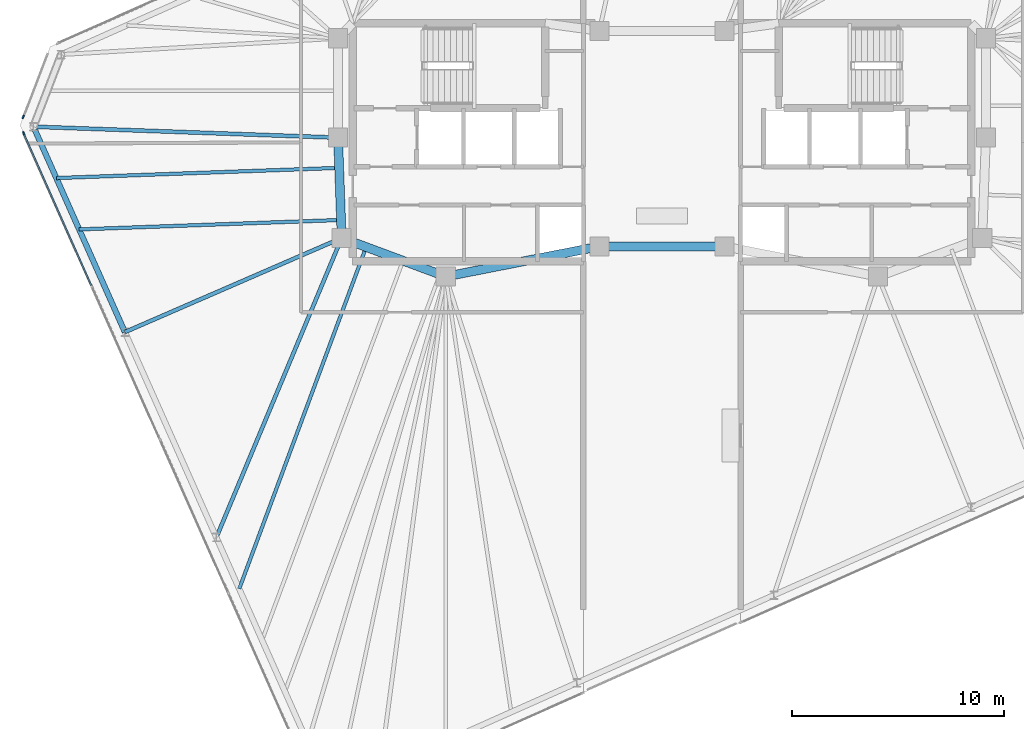
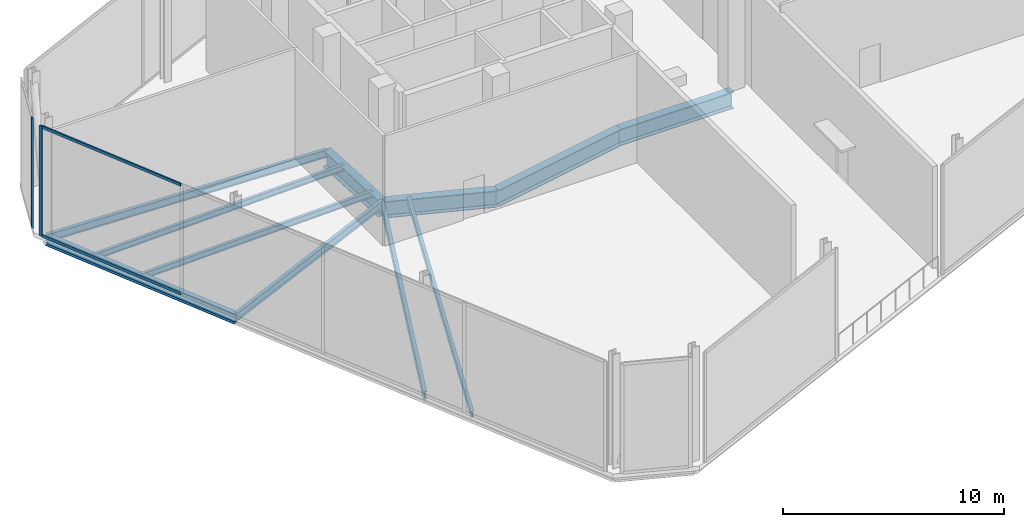
# One storey, part 7 of 16: 11 beams, 4 members, 2 elements without a shape of their own.
"""IFC4 building model written with IfcOpenShell, lengths in metres."""

from ifc_helpers import new_model, si_unit, direction, frame, origin, origin_2d, place, context, subcontext, project, spatial, rectangle, i_section, extrude, material, material_profile, profile_set, type_object, element, aggregate, save


model = new_model("IFC4")

# Units and contexts
model_context = context("Model", 3, precision=1e-05, world=origin(), true_north=direction((0.0, 1.0)))
body_context = subcontext(model_context, "Body", "Model", "MODEL_VIEW")
ifc_project = project(units=[si_unit("LENGTHUNIT", "METRE"), si_unit("AREAUNIT", "SQUARE_METRE"), si_unit("VOLUMEUNIT", "CUBIC_METRE"), si_unit("PLANEANGLEUNIT", "RADIAN"), si_unit("MASSUNIT", "GRAM", prefix="KILO")], contexts=[model_context])

# Site, building, storey
site_placement = place(None, origin())
site = spatial("IfcSite", under=ifc_project, at=site_placement, CompositionType="ELEMENT")
building_placement = place(site_placement, origin())
building = spatial("IfcBuilding", under=site, at=building_placement, Name="Menara Jurai Vektor", CompositionType="ELEMENT")
storey_placement = place(building_placement, frame((0.0, 0.0, 275.60009765625)))
storey = spatial("IfcBuildingStorey", under=building, at=storey_placement, Name="L74", CompositionType="ELEMENT", Elevation=275.60009765625)

# Curtain wall, member
ifc_material_1 = material(Name="Anodised Pale Aluminium & Low-E Double Glazing", Category="aluminium")
curtain_wall_type = type_object("IfcCurtainWallType", Name="CW-BLK5", PredefinedType="NOTDEFINED", material=ifc_material_1)
curtain_wall_1_placement = place(storey_placement, origin())
curtain_wall_1 = element("IfcCurtainWall", 1, at=curtain_wall_1_placement, inside=storey, type_object=curtain_wall_type, Name="Unitised Curtain Wall L74 W1-03", PredefinedType="NOTDEFINED")
ifc_material_2 = material(Name="Anodised Pale Aluminium Mullion", Category="aluminium")
ifc_material_profile_1 = material_profile(ifc_material_2, rectangle(XDim=0.074951171875, YDim=0.175048828125, at=origin_2d()), Name="ALU MUL 75x175")
ifc_profile_set_1 = profile_set([ifc_material_profile_1], Name="Anodised Pale Aluminium Mullion")
member_type_1 = type_object("IfcMemberType", Name="CW-BLK5-MUL", PredefinedType="MULLION", material=ifc_profile_set_1)
member_1_placement = place(storey_placement, frame((-30.075439453125, 1.197265625, 0.0), z_axis=(0.0, 0.0, 1.0), x_axis=(0.933578193639, -0.358373766287, 0.0)))
member_1 = element("IfcMember", 2, at=member_1_placement, type_object=member_type_1, Name="CW-05 mullion 2", PredefinedType="MULLION", context=body_context, shape_type="SweptSolid", body=[
    extrude(rectangle(XDim=0.074951171875, YDim=0.175048828125, at=origin_2d()), origin(), (0.0, 0.0, 1.0), 6.074951171875),
])
aggregate(curtain_wall_1, [member_1])

# Curtain wall, members
curtain_wall_2_placement = place(storey_placement, origin())
curtain_wall_2 = element("IfcCurtainWall", 3, at=curtain_wall_2_placement, inside=storey, type_object=curtain_wall_type, Name="Unitised Curtain Wall L74 W1-04", PredefinedType="NOTDEFINED")
member_2_placement = place(storey_placement, frame((-30.055419921875, 0.426025390625, 0.0), z_axis=(0.0, 0.0, 1.0), x_axis=(0.913546127706, 0.406735138086, 0.0)))
member_2 = element("IfcMember", 4, at=member_2_placement, type_object=member_type_1, Name="CW-05 mullion 1", PredefinedType="MULLION", context=body_context, shape_type="SweptSolid", body=[
    extrude(rectangle(XDim=0.074951171875, YDim=0.175048828125, at=origin_2d()), origin(), (0.0, 0.0, 1.0), 6.074951171875),
])
ifc_material_3 = material(Name="Anodised Pale Aluminium Transom", Category="aluminium")
ifc_material_profile_2 = material_profile(ifc_material_3, rectangle(XDim=0.074951171875, YDim=0.155029296875, at=origin_2d()), Name="ALU TRN 75x155")
ifc_profile_set_2 = profile_set([ifc_material_profile_2], Name="Anodised Pale Aluminium Transom")
member_type_2 = type_object("IfcMemberType", Name="CW-BLK5-TRN", PredefinedType="USERDEFINED", material=ifc_profile_set_2)
member_3_placement = place(storey_placement, frame((-30.0400390625, 0.391845703125, 0.037353515625), z_axis=(0.406713581109, -0.913555725143, 0.0), x_axis=(0.913555725143, 0.406713581109, 0.0)))
member_3 = element("IfcMember", 5, at=member_3_placement, type_object=member_type_2, Name="CW-05 transom 1.1", ObjectType="TRANSOM", PredefinedType="USERDEFINED", context=body_context, shape_type="SweptSolid", body=[
    extrude(rectangle(XDim=0.074951171875, YDim=0.155029296875, at=origin_2d()), origin(), (0.0, 0.0, 1.0), 7.797607421875),
])
member_4_placement = place(storey_placement, frame((-30.0400390625, 0.391845703125, 6.037353515625), z_axis=(0.406713581109, -0.913555725143, 0.0), x_axis=(0.913555725143, 0.406713581109, 0.0)))
member_4 = element("IfcMember", 6, at=member_4_placement, type_object=member_type_2, Name="CW-05 transom 1.2", ObjectType="TRANSOM", PredefinedType="USERDEFINED", context=body_context, shape_type="SweptSolid", body=[
    extrude(rectangle(XDim=0.074951171875, YDim=0.155029296875, at=origin_2d()), origin(), (0.0, 0.0, 1.0), 7.797607421875),
])
aggregate(curtain_wall_2, [member_2, member_3, member_4])

# Beams
ifc_material_4 = material(Name="Steel S355", Category="steel")
ifc_material_profile_3 = material_profile(ifc_material_4, i_section(OverallWidth=0.18505859375, OverallDepth=0.429931640625, WebThickness=0.010986328125, FlangeThickness=0.01806640625, at=origin_2d()), Name="PG 430x185x76")
ifc_profile_set_3 = profile_set([ifc_material_profile_3], Name="Steel S355")
beam_type_1 = type_object("IfcBeamType", Name="STR-BM-430", PredefinedType="BEAM", material=ifc_profile_set_3)
beam_1_placement = place(storey_placement, frame((-29.591796875, 0.73681640625, -0.465087890625), z_axis=(0.999351273077, -0.03601434436, 0.0), x_axis=(0.03601434436, 0.999351273077, 0.0)))
element("IfcBeam", 7, at=beam_1_placement, inside=storey, type_object=beam_type_1, Name="Radial Floor Girder L74-W1", PredefinedType="BEAM", context=body_context, shape_type="SweptSolid", body=[
    extrude(i_section(OverallWidth=0.18505859375, OverallDepth=0.429931640625, WebThickness=0.010986328125, FlangeThickness=0.01806640625, at=origin_2d()), origin(), (0.0, 0.0, 1.0), 14.35107421875),
])
beam_2_placement = place(storey_placement, frame((-25.286376953125, -8.933349609375, -0.465087890625), z_axis=(0.917207084259, 0.398410798781, 0.0), x_axis=(-0.398410798781, 0.917207084259, 0.0)))
element("IfcBeam", 8, at=beam_2_placement, inside=storey, type_object=beam_type_1, Name="Radial Floor Girder L74-W2", PredefinedType="BEAM", context=body_context, shape_type="SweptSolid", body=[
    extrude(i_section(OverallWidth=0.18505859375, OverallDepth=0.429931640625, WebThickness=0.010986328125, FlangeThickness=0.01806640625, at=origin_2d()), origin(), (0.0, 0.0, 1.0), 11.127685546875),
])
beam_3_placement = place(storey_placement, frame((-20.98095703125, -18.603271484375, -0.465087890625), z_axis=(0.38598134247, 0.922506587112, 0.0), x_axis=(-0.922506587112, 0.38598134247, 0.0)))
element("IfcBeam", 9, at=beam_3_placement, inside=storey, type_object=beam_type_1, Name="Radial Floor Girder L74-W3", PredefinedType="BEAM", context=body_context, shape_type="SweptSolid", body=[
    extrude(i_section(OverallWidth=0.18505859375, OverallDepth=0.429931640625, WebThickness=0.010986328125, FlangeThickness=0.01806640625, at=origin_2d()), origin(), (0.0, 0.0, 1.0), 15.2880859375),
])
ifc_material_5 = material(Name="Steel S460", Category="steel")
ifc_material_profile_4 = material_profile(ifc_material_5, i_section(OverallWidth=0.4208984375, OverallDepth=0.9208984375, WebThickness=0.02099609375, FlangeThickness=0.037109375, FilletRadius=0.02392578125, at=origin_2d()), Name="UKB 914x419x388")
ifc_profile_set_4 = profile_set([ifc_material_profile_4], Name="Steel S460")
beam_type_2 = type_object("IfcBeamType", Name="STR-BM-TR914", PredefinedType="BEAM", material=ifc_profile_set_4)
beam_4_placement = place(storey_placement, frame((-15.080078125, -4.5, -0.710693359375), z_axis=(-0.035977314146, 0.999352606874, 0.0), x_axis=(-0.999352606874, -0.035977314146, 0.0)))
element("IfcBeam", 10, at=beam_4_placement, inside=storey, type_object=beam_type_2, Name="Core Ring Header Girder L74-CHW-W2", PredefinedType="BEAM", context=body_context, shape_type="SweptSolid", body=[
    extrude(i_section(OverallWidth=0.4208984375, OverallDepth=0.9208984375, WebThickness=0.02099609375, FlangeThickness=0.037109375, FilletRadius=0.02392578125, at=origin_2d()), origin(), (0.0, 0.0, 1.0), 4.72314453125),
])
beam_5_placement = place(storey_placement, frame((-15.080078125, -4.5, -0.710693359375), z_axis=(0.937424400887, -0.348188874925, 0.0), x_axis=(0.348188874925, 0.937424400887, 0.0)))
element("IfcBeam", 11, at=beam_5_placement, inside=storey, type_object=beam_type_2, Name="Core Ring Header Girder L74-CHW-S1", PredefinedType="BEAM", context=body_context, shape_type="SweptSolid", body=[
    extrude(i_section(OverallWidth=0.4208984375, OverallDepth=0.9208984375, WebThickness=0.02099609375, FlangeThickness=0.037109375, FilletRadius=0.02392578125, at=origin_2d()), origin(), (0.0, 0.0, 1.0), 5.227294921875),
])
beam_6_placement = place(storey_placement, frame((-10.179931640625, -6.320068359375, -0.710693359375), z_axis=(0.981249044334, 0.192744164614, 0.0), x_axis=(-0.192744164614, 0.981249044334, 0.0)))
element("IfcBeam", 12, at=beam_6_placement, inside=storey, type_object=beam_type_2, Name="Core Ring Header Girder L74-CHW-S2", PredefinedType="BEAM", context=body_context, shape_type="SweptSolid", body=[
    extrude(i_section(OverallWidth=0.4208984375, OverallDepth=0.9208984375, WebThickness=0.02099609375, FlangeThickness=0.037109375, FilletRadius=0.02392578125, at=origin_2d()), origin(), (0.0, 0.0, 1.0), 7.3681640625),
])
beam_7_placement = place(storey_placement, frame((-2.949951171875, -4.89990234375, -0.710693359375), z_axis=(1.0, 0.0, 0.0), x_axis=(0.0, 1.0, 0.0)))
element("IfcBeam", 13, at=beam_7_placement, inside=storey, type_object=beam_type_2, Name="Core Ring Header Girder L74-CC-1", PredefinedType="BEAM", context=body_context, shape_type="SweptSolid", body=[
    extrude(i_section(OverallWidth=0.4208984375, OverallDepth=0.9208984375, WebThickness=0.02099609375, FlangeThickness=0.037109375, FilletRadius=0.02392578125, at=origin_2d()), origin(), (0.0, 0.0, 1.0), 5.89990234375),
])
ifc_material_profile_5 = material_profile(ifc_material_4, i_section(OverallWidth=0.1650390625, OverallDepth=0.330078125, WebThickness=0.009033203125, FlangeThickness=0.013916015625, at=origin_2d()), Name="PG 330x165x46")
ifc_profile_set_5 = profile_set([ifc_material_profile_5], Name="Steel S355")
beam_type_3 = type_object("IfcBeamType", Name="STR-JS-330", PredefinedType="JOIST", material=ifc_profile_set_5)
beam_8_placement = place(storey_placement, frame((-28.515380859375, -1.6806640625, -0.4150390625), z_axis=(0.999352378837, 0.035983647851, 0.0), x_axis=(-0.035983647851, 0.999352378837, 0.0)))
element("IfcBeam", 14, at=beam_8_placement, inside=storey, type_object=beam_type_3, Name="Radial Secondary Floor Joist L74-JS22", PredefinedType="JOIST", context=body_context, shape_type="SweptSolid", body=[
    extrude(i_section(OverallWidth=0.1650390625, OverallDepth=0.330078125, WebThickness=0.009033203125, FlangeThickness=0.013916015625, at=origin_2d()), origin(), (0.0, 0.0, 1.0), 13.3251953125),
])
beam_9_placement = place(storey_placement, frame((-27.43896484375, -4.09814453125, -0.4150390625), z_axis=(0.999352552329, 0.03597882924, 0.0), x_axis=(-0.03597882924, 0.999352552329, 0.0)))
element("IfcBeam", 15, at=beam_9_placement, inside=storey, type_object=beam_type_3, Name="Radial Secondary Floor Joist L74-JS23", PredefinedType="JOIST", context=body_context, shape_type="SweptSolid", body=[
    extrude(i_section(OverallWidth=0.1650390625, OverallDepth=0.330078125, WebThickness=0.009033203125, FlangeThickness=0.013916015625, at=origin_2d()), origin(), (0.0, 0.0, 1.0), 12.33642578125),
])
beam_10_placement = place(storey_placement, frame((-19.904541015625, -21.020751953125, -0.4150390625), z_axis=(0.348190100331, 0.937423945732, 0.0), x_axis=(-0.937423945732, 0.348190100331, 0.0)))
element("IfcBeam", 16, at=beam_10_placement, inside=storey, type_object=beam_type_3, Name="Radial Secondary Floor Joist L74-JS24", PredefinedType="JOIST", context=body_context, shape_type="SweptSolid", body=[
    extrude(i_section(OverallWidth=0.1650390625, OverallDepth=0.330078125, WebThickness=0.009033203125, FlangeThickness=0.013916015625, at=origin_2d()), origin(), (0.0, 0.0, 1.0), 17.166748046875),
])
ifc_material_profile_6 = material_profile(ifc_material_4, i_section(OverallWidth=0.260009765625, OverallDepth=0.570068359375, WebThickness=0.013916015625, FlangeThickness=0.02392578125, at=origin_2d()), Name="PG 570x260x145")
ifc_profile_set_6 = profile_set([ifc_material_profile_6], Name="Steel S355")
beam_type_4 = type_object("IfcBeamType", Name="STR-SP-570", PredefinedType="SPANDREL", material=ifc_profile_set_6)
beam_11_placement = place(storey_placement, frame((-29.591796875, 0.73681640625, -0.53515625), z_axis=(0.40673543049, -0.91354599752, 0.0), x_axis=(0.91354599752, 0.40673543049, 0.0)))
element("IfcBeam", 17, at=beam_11_placement, inside=storey, type_object=beam_type_4, Name="Exoskeleton Spandrel Beam L74-17", PredefinedType="SPANDREL", context=body_context, shape_type="SweptSolid", body=[
    extrude(i_section(OverallWidth=0.260009765625, OverallDepth=0.570068359375, WebThickness=0.013916015625, FlangeThickness=0.02392578125, at=origin_2d()), origin(), (0.0, 0.0, 1.0), 10.585205078125),
])

save(model, "model.ifc")
